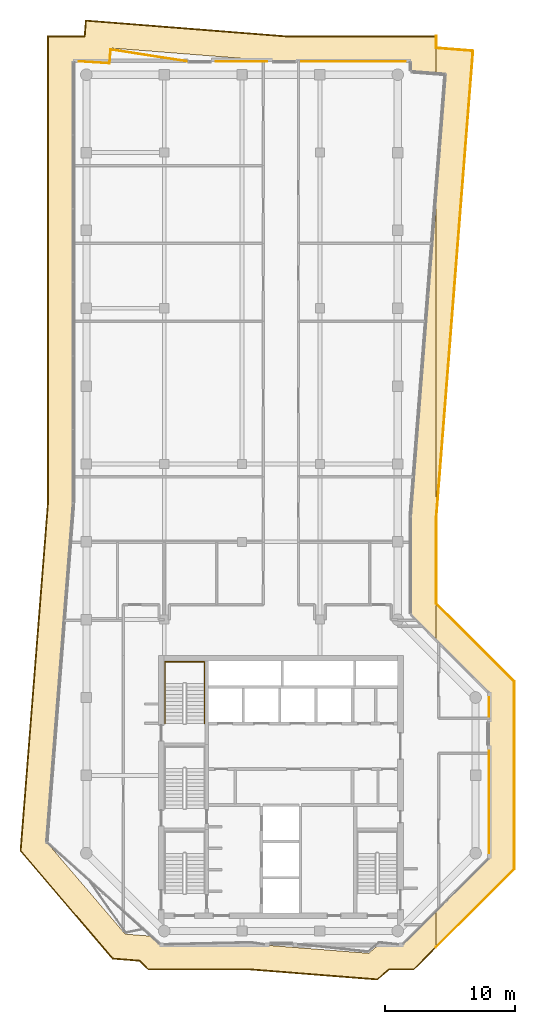
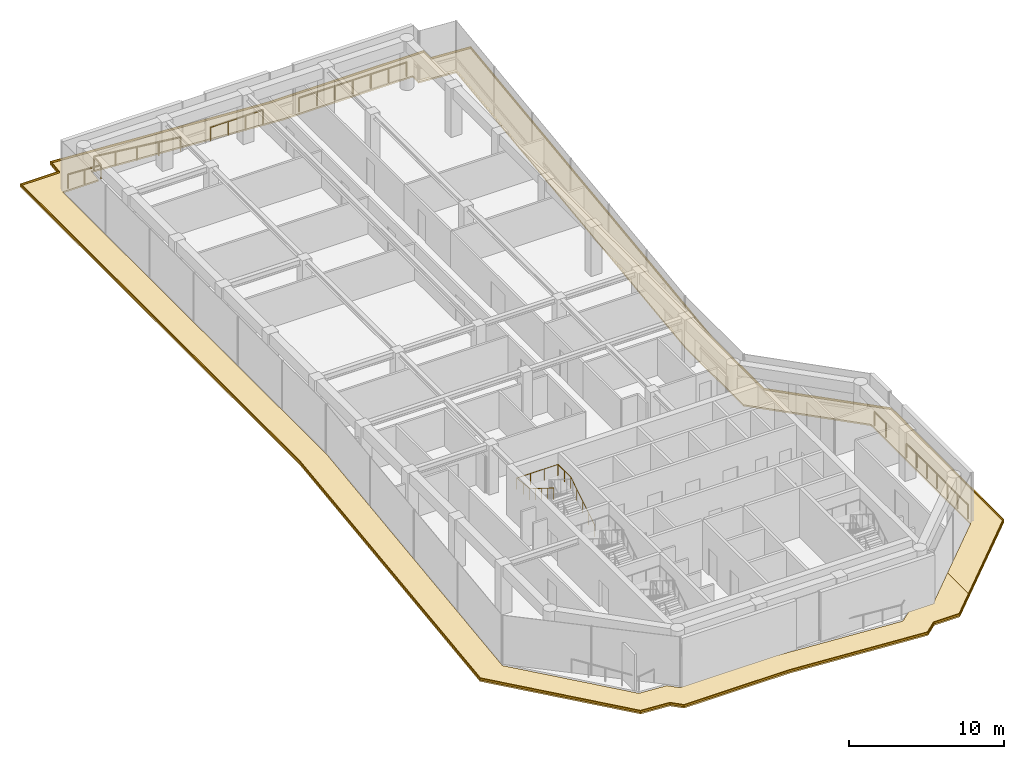
# One storey, part 23 of 23: 6 railings, 5 coverings.
"""IFC4 building model written with IfcOpenShell, lengths in metres."""

import ifcopenshell
import ifcopenshell.guid

model = None  # the IFC model being written
_history = None  # IfcOwnerHistory: only IFC2X3 demands one
_inside = {}  # id of a spatial element -> (the spatial element, [elements in it])
_under = {}  # id of a project, library or spatial element -> (it, [spatial elements below it])
_declared = {}  # id of a project -> (the project, [libraries it declares])
_typed = {}  # id of a type object -> (the type object, [elements of that type])
_made_of = {}  # id of a material, layer set ... -> (it, [elements and type objects made of it])


def new_model(schema):
    """Start an empty IFC model of exactly this schema.

    Asked for "IFC4X3", IfcOpenShell would pick the latest addendum, in which some entities
    have other attributes; the version numbers below select the first issue.
    IFC2X3 requires an IfcOwnerHistory on every rooted entity: one is made here for all.
    """
    global model, _history
    if schema == "IFC4X3":
        model = ifcopenshell.file(schema_version=(4, 3, 0, 0))
    else:
        model = ifcopenshell.file(schema=schema)
    _inside.clear()
    _under.clear()
    _declared.clear()
    _typed.clear()
    _made_of.clear()
    _history = None
    if model.schema == "IFC2X3":
        org = make("IfcOrganization", Name="unknown")
        user = make(
            "IfcPersonAndOrganization",
            ThePerson=make("IfcPerson", FamilyName="unknown"),
            TheOrganization=org,
        )
        app = make(
            "IfcApplication",
            ApplicationDeveloper=org,
            Version="unknown",
            ApplicationFullName="unknown",
            ApplicationIdentifier="unknown",
        )
        _history = make(
            "IfcOwnerHistory",
            OwningUser=user,
            OwningApplication=app,
            ChangeAction="ADDED",
            CreationDate=0,
        )
    return model


def make(cls, **values):
    """One entity of the class cls with the attributes given. An attribute that is None is left unset."""
    return model.create_entity(
        cls, **{name: value for name, value in values.items() if value is not None}
    )


def rooted(cls, **values):
    """An entity with a GlobalId (a new one), such as an element, a storey or a relation."""
    return make(cls, GlobalId=ifcopenshell.guid.new(), OwnerHistory=_history, **values)


def si_unit(unit_type, name, prefix=None):
    """IfcSIUnit, for example si_unit("LENGTHUNIT", "METRE", prefix="MILLI")."""
    return make("IfcSIUnit", UnitType=unit_type, Prefix=prefix, Name=name)


def assignment(units):
    """IfcUnitAssignment: the units of a project."""
    return None if units is None else make("IfcUnitAssignment", Units=units)


def point(xyz):
    """IfcCartesianPoint."""
    return None if xyz is None else make("IfcCartesianPoint", Coordinates=xyz)


def direction(xyz):
    """IfcDirection."""
    return None if xyz is None else make("IfcDirection", DirectionRatios=xyz)


def frame(location, z_axis=None, x_axis=None):
    """IfcAxis2Placement3D, a coordinate frame: its origin and axes. An axis left out is left unset."""
    return make(
        "IfcAxis2Placement3D",
        Location=point(location),
        Axis=direction(z_axis),
        RefDirection=direction(x_axis),
    )


def frame_2d(location, x_axis=None):
    """IfcAxis2Placement2D, a coordinate frame in the plane: its origin and x axis."""
    return make(
        "IfcAxis2Placement2D", Location=point(location), RefDirection=direction(x_axis)
    )


def origin():
    """The frame at (0, 0, 0) with its axes left unset."""
    return frame((0.0, 0.0, 0.0))


def origin_2d():
    """The frame at (0, 0) in the plane with its x axis left unset."""
    return frame_2d((0.0, 0.0))


def place(relative_to, where):
    """IfcLocalPlacement: puts the frame where relative to a parent placement (None: the world)."""
    return make(
        "IfcLocalPlacement", PlacementRelTo=relative_to, RelativePlacement=where
    )


def context(
    kind, dimensions, precision=None, world=None, true_north=None, identifier=None
):
    """IfcGeometricRepresentationContext, for example the 3D "Model" context."""
    return make(
        "IfcGeometricRepresentationContext",
        ContextIdentifier=identifier,
        ContextType=kind,
        CoordinateSpaceDimension=dimensions,
        Precision=precision,
        WorldCoordinateSystem=world,
        TrueNorth=true_north,
    )


def subcontext(parent, identifier, kind, view, scale=None):
    """IfcGeometricRepresentationSubContext, for example "Body" below "Model"."""
    return make(
        "IfcGeometricRepresentationSubContext",
        ContextIdentifier=identifier,
        ContextType=kind,
        ParentContext=parent,
        TargetScale=scale,
        TargetView=view,
    )


def project(units=None, contexts=None):
    """IfcProject with its units and contexts."""
    return rooted(
        "IfcProject",
        Name="project",
        RepresentationContexts=contexts,
        UnitsInContext=assignment(units),
    )


def spatial(cls, under=None, at=None, **own):
    """A site, building, storey or space (cls), placed at a placement, below another one or the project."""
    s = rooted(cls, ObjectPlacement=at, **own)
    if under is not None:
        _under.setdefault(under.id(), (under, []))[1].append(s)
    return s


def polyline(points):
    """IfcPolyline through the points."""
    return make("IfcPolyline", Points=[point(p) for p in points])


def profile(cls, at=None, kind="AREA", **sizes):
    """A parametric profile (cls). Its sizes go by their IFC names, for example OverallWidth=200.0."""
    return make(cls, ProfileType=kind, Position=at, **sizes)


def circle(**sizes):
    """IfcCircleProfileDef."""
    return profile("IfcCircleProfileDef", **sizes)


def outline(outer, holes=None, kind="AREA"):
    """IfcArbitraryClosedProfileDef: a profile drawn as a closed curve; with holes, ...WithVoids."""
    if holes is None:
        return make("IfcArbitraryClosedProfileDef", ProfileType=kind, OuterCurve=outer)
    return make(
        "IfcArbitraryProfileDefWithVoids",
        ProfileType=kind,
        OuterCurve=outer,
        InnerCurves=holes,
    )


def extrude(swept, where, along, depth):
    """IfcExtrudedAreaSolid: the profile swept, set in the frame where, extruded along a direction by depth."""
    return make(
        "IfcExtrudedAreaSolid",
        SweptArea=swept,
        Position=where,
        ExtrudedDirection=direction(along),
        Depth=depth,
    )


def shape(context_of_items, identifier, shape_type, items):
    """IfcShapeRepresentation: the items that make up one representation, for example the "Body"."""
    return make(
        "IfcShapeRepresentation",
        ContextOfItems=context_of_items,
        RepresentationIdentifier=identifier,
        RepresentationType=shape_type,
        Items=items,
    )


def material(Name=None, Category=None):
    """IfcMaterial."""
    return make("IfcMaterial", Name=Name, Category=Category)


def layer(
    of_material, thickness, ventilated=None, Name=None, Category=None, Priority=None
):
    """IfcMaterialLayer: one layer of a wall or slab, of a material (None: an air gap)."""
    return make(
        "IfcMaterialLayer",
        Material=of_material,
        LayerThickness=thickness,
        IsVentilated=ventilated,
        Name=Name,
        Category=Category,
        Priority=Priority,
    )


def layer_set(layers, Name=None):
    """IfcMaterialLayerSet."""
    return make("IfcMaterialLayerSet", MaterialLayers=layers, LayerSetName=Name)


def made_of(thing, what):
    """Note that an element or type object is made of a material, layer set ...; save() writes the relation."""
    if what is not None:
        _made_of.setdefault(what.id(), (what, []))[1].append(thing)
    return thing


def type_object(cls, material=None, **own):
    """A type object (cls), such as IfcWallType, which elements share."""
    return made_of(rooted(cls, **own), material)


def element(
    cls,
    number,
    at=None,
    inside=None,
    cuts=None,
    type_object=None,
    material=None,
    context=None,
    identifier="Body",
    shape_type=None,
    held_by="IfcProductDefinitionShape",
    body=None,
    shapes=None,
    **own,
):
    """One element of the class cls, such as IfcWall. Its Tag is "e" and its number.

    at: its placement. inside: the storey or other place that contains it. cuts: it is an
    opening in that element (IfcRelVoidsElement). A single representation is given by context,
    identifier, shape_type and body (its items); several are given by shapes. held_by: the class
    of the entity that holds the representations. save() writes the other relations.
    """
    e = rooted(cls, Tag="e%d" % number, ObjectPlacement=at, **own)
    if body is not None:
        shapes = [shape(context, identifier, shape_type, body)]
    if shapes is not None:
        e.Representation = make(held_by, Representations=shapes)
    if inside is not None:
        _inside.setdefault(inside.id(), (inside, []))[1].append(e)
    if cuts is not None:
        rooted(
            "IfcRelVoidsElement", RelatingBuildingElement=cuts, RelatedOpeningElement=e
        )
    if type_object is not None:
        _typed.setdefault(type_object.id(), (type_object, []))[1].append(e)
    return made_of(e, material)


def aggregate(whole, parts):
    """IfcRelAggregates: a whole, such as a stair, and the parts it consists of."""
    return rooted("IfcRelAggregates", RelatingObject=whole, RelatedObjects=parts)


def save(model, path):
    """Write the relations noted so far, then the file.

    IfcRelAggregates (storeys below a building ...), IfcRelContainedInSpatialStructure (elements
    in a storey), IfcRelDefinesByType, IfcRelAssociatesMaterial and IfcRelDeclares: one each for
    every whole, place, type object, material and project.
    """
    for whole, parts in _under.values():
        aggregate(whole, parts)
    for where, things in _inside.values():
        rooted(
            "IfcRelContainedInSpatialStructure",
            RelatedElements=things,
            RelatingStructure=where,
        )
    for kind, things in _typed.values():
        rooted("IfcRelDefinesByType", RelatedObjects=things, RelatingType=kind)
    for what, things in _made_of.values():
        rooted("IfcRelAssociatesMaterial", RelatedObjects=things, RelatingMaterial=what)
    for by, libraries in _declared.values():
        rooted("IfcRelDeclares", RelatingContext=by, RelatedDefinitions=libraries)
    model.write(path)


model = new_model("IFC4")

# Units and contexts
model_context = context("Model", 3, precision=1e-05, world=origin(), true_north=direction((0.0, 1.0)))
body_context = subcontext(model_context, "Body", "Model", "MODEL_VIEW")
ifc_project = project(units=[si_unit("LENGTHUNIT", "METRE"), si_unit("AREAUNIT", "SQUARE_METRE"), si_unit("VOLUMEUNIT", "CUBIC_METRE"), si_unit("PLANEANGLEUNIT", "RADIAN"), si_unit("MASSUNIT", "GRAM", prefix="KILO")], contexts=[model_context])

# Site, building, storey
site_placement = place(None, origin())
site = spatial("IfcSite", under=ifc_project, at=site_placement, CompositionType="ELEMENT")
building_placement = place(site_placement, origin())
building = spatial("IfcBuilding", under=site, at=building_placement, Name="Welwitschia Terrace Campus", CompositionType="ELEMENT")
storey_placement = place(building_placement, frame((0.0, 0.0, 247.39990234375)))
storey = spatial("IfcBuildingStorey", under=building, at=storey_placement, Name="L55", CompositionType="ELEMENT", Elevation=247.39990234375)

# Railings
ifc_material_1 = material(Name="Stainless steel grade 316", Category="steel")
railing_type_1 = type_object("IfcRailingType", Name="Guard 1100", PredefinedType="GUARDRAIL", material=ifc_material_1)
railing_1_placement = place(storey_placement, frame((-0.580078125, 71.030029296875, 0.0)))
element("IfcRailing", 1, at=railing_1_placement, inside=storey, type_object=railing_type_1, Name="Guard floor edge L55.0", PredefinedType="GUARDRAIL", context=body_context, shape_type="SweptSolid", body=[
    extrude(circle(Radius=0.02392578125, at=origin_2d()), frame((0.0, 0.0, 1.076171875), z_axis=(0.997996952263, -0.063262020784, 0.0), x_axis=(0.063262020784, 0.997996952263, 0.0)), (0.0, 0.0, 1.0), 2.373291015625),
    extrude(circle(Radius=0.02392578125, at=origin_2d()), frame((2.36865234375, -0.150146484375, 1.076171875), z_axis=(0.078594302847, 0.996906683476, 0.0), x_axis=(-0.996906683476, 0.078594302847, 0.0)), (0.0, 0.0, 1.0), 1.062255859375),
    extrude(circle(Radius=0.02392578125, at=origin_2d()), frame((2.4521484375, 0.908935546875, 1.076171875), z_axis=(0.98835326128, -0.152176972363, 0.0), x_axis=(0.152176972363, 0.98835326128, 0.0)), (0.0, 0.0, 1.0), 5.972900390625),
    extrude(circle(Radius=0.02099609375, at=origin_2d()), origin(), (0.0, 0.0, 1.0), 1.052001953125),
    extrude(circle(Radius=0.02099609375, at=origin_2d()), frame((1.184326171875, -0.0751953125, 0.0)), (0.0, 0.0, 1.0), 1.052001953125),
    extrude(circle(Radius=0.02099609375, at=origin_2d()), frame((2.36865234375, -0.150146484375, 0.0)), (0.0, 0.0, 1.0), 1.052001953125),
    extrude(circle(Radius=0.02099609375, at=origin_2d()), frame((2.4521484375, 0.908935546875, 0.0)), (0.0, 0.0, 1.0), 1.052001953125),
    extrude(circle(Radius=0.02099609375, at=origin_2d()), frame((3.927978515625, 0.681640625, 0.0)), (0.0, 0.0, 1.0), 1.052001953125),
    extrude(circle(Radius=0.02099609375, at=origin_2d()), frame((5.40380859375, 0.45458984375, 0.0)), (0.0, 0.0, 1.0), 1.052001953125),
    extrude(circle(Radius=0.02099609375, at=origin_2d()), frame((6.879638671875, 0.227294921875, 0.0)), (0.0, 0.0, 1.0), 1.052001953125),
    extrude(circle(Radius=0.02099609375, at=origin_2d()), frame((8.35546875, 0.0, 0.0)), (0.0, 0.0, 1.0), 1.052001953125),
])
railing_2_placement = place(storey_placement, frame((10.00244140625, 71.030029296875, 0.0)))
element("IfcRailing", 2, at=railing_2_placement, inside=storey, type_object=railing_type_1, Name="Guard floor edge L55.3", PredefinedType="GUARDRAIL", context=body_context, shape_type="SweptSolid", body=[
    extrude(circle(Radius=0.02392578125, at=origin_2d()), frame((0.0, 0.0, 1.076171875), z_axis=(1.0, 0.0, 0.0), x_axis=(0.0, 1.0, 0.0)), (0.0, 0.0, 1.0), 3.906982421875),
    extrude(circle(Radius=0.02099609375, at=origin_2d()), origin(), (0.0, 0.0, 1.0), 1.052001953125),
    extrude(circle(Radius=0.02099609375, at=origin_2d()), frame((1.30224609375, 0.0, 0.0)), (0.0, 0.0, 1.0), 1.052001953125),
    extrude(circle(Radius=0.02099609375, at=origin_2d()), frame((2.604736328125, 0.0, 0.0)), (0.0, 0.0, 1.0), 1.052001953125),
    extrude(circle(Radius=0.02099609375, at=origin_2d()), frame((3.906982421875, 0.0, 0.0)), (0.0, 0.0, 1.0), 1.052001953125),
])
railing_3_placement = place(storey_placement, frame((16.581298828125, 71.030029296875, 0.0)))
element("IfcRailing", 3, at=railing_3_placement, inside=storey, type_object=railing_type_1, Name="Guard floor edge L55.5", PredefinedType="GUARDRAIL", context=body_context, shape_type="SweptSolid", body=[
    extrude(circle(Radius=0.02392578125, at=origin_2d()), frame((0.0, 0.0, 1.076171875), z_axis=(1.0, 0.0, 0.0), x_axis=(0.0, 1.0, 0.0)), (0.0, 0.0, 1.0), 7.998779296875),
    extrude(circle(Radius=0.02099609375, at=origin_2d()), origin(), (0.0, 0.0, 1.0), 1.052001953125),
    extrude(circle(Radius=0.02099609375, at=origin_2d()), frame((1.3330078125, 0.0, 0.0)), (0.0, 0.0, 1.0), 1.052001953125),
    extrude(circle(Radius=0.02099609375, at=origin_2d()), frame((2.666259765625, 0.0, 0.0)), (0.0, 0.0, 1.0), 1.052001953125),
    extrude(circle(Radius=0.02099609375, at=origin_2d()), frame((3.99951171875, 0.0, 0.0)), (0.0, 0.0, 1.0), 1.052001953125),
    extrude(circle(Radius=0.02099609375, at=origin_2d()), frame((5.33251953125, 0.0, 0.0)), (0.0, 0.0, 1.0), 1.052001953125),
    extrude(circle(Radius=0.02099609375, at=origin_2d()), frame((6.66552734375, 0.0, 0.0)), (0.0, 0.0, 1.0), 1.052001953125),
    extrude(circle(Radius=0.02099609375, at=origin_2d()), frame((7.998779296875, 0.0, 0.0)), (0.0, 0.0, 1.0), 1.052001953125),
])
railing_4_placement = place(storey_placement, frame((31.030029296875, 17.8896484375, 0.0)))
element("IfcRailing", 4, at=railing_4_placement, inside=storey, type_object=railing_type_1, Name="Guard floor edge L55.6", PredefinedType="GUARDRAIL", context=body_context, shape_type="SweptSolid", body=[
    extrude(circle(Radius=0.02392578125, at=origin_2d()), frame((0.0, 0.0, 1.076171875), z_axis=(0.0, -1.0, 0.0), x_axis=(1.0, 0.0, 0.0)), (0.0, 0.0, 1.0), 7.892578125),
    extrude(circle(Radius=0.02099609375, at=origin_2d()), origin(), (0.0, 0.0, 1.0), 1.052001953125),
    extrude(circle(Radius=0.02099609375, at=origin_2d()), frame((0.0, -1.3154296875, 0.0)), (0.0, 0.0, 1.0), 1.052001953125),
    extrude(circle(Radius=0.02099609375, at=origin_2d()), frame((0.0, -2.630859375, 0.0)), (0.0, 0.0, 1.0), 1.052001953125),
    extrude(circle(Radius=0.02099609375, at=origin_2d()), frame((0.0, -3.9462890625, 0.0)), (0.0, 0.0, 1.0), 1.052001953125),
    extrude(circle(Radius=0.02099609375, at=origin_2d()), frame((0.0, -5.26171875, 0.0)), (0.0, 0.0, 1.0), 1.052001953125),
    extrude(circle(Radius=0.02099609375, at=origin_2d()), frame((0.0, -6.5771484375, 0.0)), (0.0, 0.0, 1.0), 1.052001953125),
    extrude(circle(Radius=0.02099609375, at=origin_2d()), frame((0.0, -7.892578125, 0.0)), (0.0, 0.0, 1.0), 1.052001953125),
])
railing_5_placement = place(storey_placement, frame((31.030029296875, 22.0029296875, 0.0)))
element("IfcRailing", 5, at=railing_5_placement, inside=storey, type_object=railing_type_1, Name="Guard floor edge L55.7", PredefinedType="GUARDRAIL", context=body_context, shape_type="SweptSolid", body=[
    extrude(circle(Radius=0.02392578125, at=origin_2d()), frame((0.0, 0.0, 1.076171875), z_axis=(0.0, -1.0, 0.0), x_axis=(1.0, 0.0, 0.0)), (0.0, 0.0, 1.0), 1.4658203125),
    extrude(circle(Radius=0.02099609375, at=origin_2d()), origin(), (0.0, 0.0, 1.0), 1.052001953125),
    extrude(circle(Radius=0.02099609375, at=origin_2d()), frame((0.0, -1.4658203125, 0.0)), (0.0, 0.0, 1.0), 1.052001953125),
])
ifc_material_2 = material(Name="Steel S355", Category="steel")
railing_type_2 = type_object("IfcRailingType", Name="Stair handrail 900", PredefinedType="HANDRAIL", material=ifc_material_2)
railing_6_placement = place(storey_placement, frame((9.10009765625, 20.0, 0.175048828125)))
element("IfcRailing", 6, at=railing_6_placement, inside=storey, type_object=railing_type_2, Name="L55 S4 stair handrail", PredefinedType="HANDRAIL", context=body_context, shape_type="SweptSolid", body=[
    extrude(circle(Radius=0.02392578125, at=origin_2d()), frame((0.0, 0.0, 0.8759765625), z_axis=(0.0, 0.847998304005, 0.529998940003), x_axis=(-1.0, 0.0, 0.0)), (0.0, 0.0, 1.0), 3.632080078125),
    extrude(circle(Radius=0.02392578125, at=origin_2d()), frame((0.0, 3.080078125, 2.80078125), z_axis=(0.0, 1.0, 0.0), x_axis=(-1.0, 0.0, 0.0)), (0.0, 0.0, 1.0), 1.669921875),
    extrude(circle(Radius=0.02392578125, at=origin_2d()), frame((0.0, 4.75, 2.80078125), z_axis=(-1.0, 0.0, 0.0), x_axis=(0.0, -1.0, 0.0)), (0.0, 0.0, 1.0), 3.050048828125),
    extrude(circle(Radius=0.02392578125, at=origin_2d()), frame((-3.050048828125, 4.75, 2.80078125), z_axis=(0.0, -0.99455077262, 0.104253348533), x_axis=(1.0, 0.0, 0.0)), (0.0, 0.0, 1.0), 1.678955078125),
    extrude(circle(Radius=0.02392578125, at=origin_2d()), frame((-3.050048828125, 3.080078125, 2.97607421875), z_axis=(0.0, -0.847998304005, 0.529998940003), x_axis=(1.0, 0.0, 0.0)), (0.0, 0.0, 1.0), 3.632080078125),
    extrude(circle(Radius=0.02099609375, at=origin_2d()), origin(), (0.0, 0.0, 1.0), 0.851806640625),
    extrude(circle(Radius=0.02099609375, at=origin_2d()), frame((0.0, 0.77001953125, 0.481201171875)), (0.0, 0.0, 1.0), 0.851806640625),
    extrude(circle(Radius=0.02099609375, at=origin_2d()), frame((0.0, 1.5400390625, 0.96240234375)), (0.0, 0.0, 1.0), 0.851806640625),
    extrude(circle(Radius=0.02099609375, at=origin_2d()), frame((0.0, 2.31005859375, 1.44384765625)), (0.0, 0.0, 1.0), 0.851806640625),
    extrude(circle(Radius=0.02099609375, at=origin_2d()), frame((0.0, 3.080078125, 1.925048828125)), (0.0, 0.0, 1.0), 0.851806640625),
    extrude(circle(Radius=0.02099609375, at=origin_2d()), frame((0.0, 3.9150390625, 1.925048828125)), (0.0, 0.0, 1.0), 0.851806640625),
    extrude(circle(Radius=0.02099609375, at=origin_2d()), frame((0.0, 4.75, 1.925048828125)), (0.0, 0.0, 1.0), 0.851806640625),
    extrude(circle(Radius=0.02099609375, at=origin_2d()), frame((-1.0166015625, 4.75, 1.925048828125)), (0.0, 0.0, 1.0), 0.851806640625),
    extrude(circle(Radius=0.02099609375, at=origin_2d()), frame((-2.033447265625, 4.75, 1.925048828125)), (0.0, 0.0, 1.0), 0.851806640625),
    extrude(circle(Radius=0.02099609375, at=origin_2d()), frame((-3.050048828125, 4.75, 1.925048828125)), (0.0, 0.0, 1.0), 0.851806640625),
    extrude(circle(Radius=0.02099609375, at=origin_2d()), frame((-3.050048828125, 3.9150390625, 2.0126953125)), (0.0, 0.0, 1.0), 0.851806640625),
    extrude(circle(Radius=0.02099609375, at=origin_2d()), frame((-3.050048828125, 3.080078125, 2.10009765625)), (0.0, 0.0, 1.0), 0.851806640625),
    extrude(circle(Radius=0.02099609375, at=origin_2d()), frame((-3.050048828125, 2.31005859375, 2.581298828125)), (0.0, 0.0, 1.0), 0.851806640625),
    extrude(circle(Radius=0.02099609375, at=origin_2d()), frame((-3.050048828125, 1.5400390625, 3.0625)), (0.0, 0.0, 1.0), 0.851806640625),
    extrude(circle(Radius=0.02099609375, at=origin_2d()), frame((-3.050048828125, 0.77001953125, 3.5439453125)), (0.0, 0.0, 1.0), 0.851806640625),
    extrude(circle(Radius=0.02099609375, at=origin_2d()), frame((-3.050048828125, 0.0, 4.025146484375)), (0.0, 0.0, 1.0), 0.851806640625),
])

# Coverings
ifc_material_3 = material(Name="Bronze anodised aluminium", Category="aluminium")
ifc_layer_1 = layer(ifc_material_3, 0.1201171875)
ifc_layer_set_1 = layer_set([ifc_layer_1], Name="Bronze anodised aluminium")
covering_type_1 = type_object("IfcCoveringType", Name="Sunshade band 2000", PredefinedType="USERDEFINED", material=ifc_layer_set_1)
covering_1_placement = place(storey_placement, frame((0.0, 0.0, -0.25)))
element("IfcCovering", 7, at=covering_1_placement, inside=storey, type_object=covering_type_1, Name="SUNSHADE L55.SW0", ObjectType="SUNSHADE", PredefinedType="USERDEFINED", context=body_context, shape_type="SweptSolid", body=[
    extrude(outline(polyline([(-0.0751953125, 74.21875), (15.41162109375, 73.0), (26.943359375, 73.0), (26.943359375, 70.086181640625), (25.0, 70.2392578125), (25.0, 71.0), (15.3330078125, 71.0), (1.76171875, 72.068115234375), (1.677734375, 71.0), (-1.0, 71.0), (-1.0, 36.976318359375), (-3.056640625, 10.84326171875), (2.991943359375, 3.760986328125), (4.9814453125, 3.6044921875), (5.585693359375, 3.0), (12.6611328125, 3.0), (21.762451171875, 2.28369140625), (22.60107421875, 3.0), (24.414306640625, 3.0), (26.943359375, 5.529052734375), (26.943359375, 2.70068359375), (25.24267578125, 1.0), (23.3388671875, 1.0), (22.431396484375, 0.224853515625), (12.58251953125, 1.0), (4.75732421875, 1.0), (4.0888671875, 1.66845703125), (2.00927734375, 1.83203125), (-5.115478515625, 10.17431640625), (-3.0, 37.054931640625), (-3.0, 73.0), (-0.171142578125, 73.0), (-0.0751953125, 74.21875)])), origin(), (0.0, 0.0, 1.0), 0.1201171875),
])
covering_2_placement = place(storey_placement, frame((0.0, 0.0, -0.25)))
element("IfcCovering", 8, at=covering_2_placement, inside=storey, type_object=covering_type_1, Name="SUNSHADE L55.SW1", ObjectType="SUNSHADE", PredefinedType="USERDEFINED", context=body_context, shape_type="SweptSolid", body=[
    extrude(outline(polyline([(25.0, 28.414306640625), (25.0, 35.954833984375), (26.943359375, 60.646484375), (26.943359375, 26.470947265625), (25.0, 28.414306640625)])), origin(), (0.0, 0.0, 1.0), 0.1201171875),
])
covering_3_placement = place(storey_placement, frame((0.0, 0.0, -0.25)))
element("IfcCovering", 9, at=covering_3_placement, inside=storey, type_object=covering_type_1, Name="SUNSHADE L55.SE0", ObjectType="SUNSHADE", PredefinedType="USERDEFINED", context=body_context, shape_type="SweptSolid", body=[
    extrude(outline(polyline([(27.0, 73.0), (27.0, 72.087890625), (29.83251953125, 71.864990234375), (27.0, 35.876220703125), (27.0, 29.24267578125), (33.0, 23.24267578125), (33.0, 8.75732421875), (26.943359375, 2.70068359375), (26.943359375, 5.529052734375), (31.0, 9.585693359375), (31.0, 22.414306640625), (26.943359375, 26.470947265625), (26.943359375, 60.646484375), (27.681640625, 70.028076171875), (26.943359375, 70.086181640625), (26.943359375, 73.0), (27.0, 73.0)])), origin(), (0.0, 0.0, 1.0), 0.1201171875),
])
ifc_material_4 = material(Name="Bronze anodised aluminium", Category="aluminium")
ifc_layer_2 = layer(ifc_material_4, 0.06005859375)
ifc_layer_set_2 = layer_set([ifc_layer_2], Name="Bronze anodised aluminium")
covering_type_2 = type_object("IfcCoveringType", Name="Sunshade lip 60", PredefinedType="USERDEFINED", material=ifc_layer_set_2)
covering_4_placement = place(storey_placement, frame((0.0, 0.0, -0.1298828125)))
element("IfcCovering", 10, at=covering_4_placement, inside=storey, type_object=covering_type_2, Name="SUNSHADE LIP L55.SW0.0", ObjectType="SUNSHADE", PredefinedType="USERDEFINED", context=body_context, shape_type="SweptSolid", body=[
    extrude(outline(polyline([(15.41162109375, 73.0), (26.943359375, 73.0), (26.943359375, 72.0322265625), (26.93994140625, 72.93994140625), (15.4091796875, 72.93994140625), (-0.02001953125, 74.154296875), (-0.115478515625, 72.93994140625), (-2.93994140625, 72.93994140625), (-2.93994140625, 37.052490234375), (-5.0537109375, 10.1943359375), (2.038818359375, 1.889892578125), (4.11572265625, 1.7265625), (4.7822265625, 1.06005859375), (12.5849609375, 1.06005859375), (22.411376953125, 0.28662109375), (23.31689453125, 1.06005859375), (25.2177734375, 1.06005859375), (26.943359375, 2.785400390625), (26.943359375, 2.70068359375), (25.24267578125, 1.0), (23.3388671875, 1.0), (22.431396484375, 0.224853515625), (12.58251953125, 1.0), (4.75732421875, 1.0), (4.0888671875, 1.66845703125), (2.00927734375, 1.83203125), (-5.115478515625, 10.17431640625), (-3.0, 37.054931640625), (-3.0, 73.0), (-0.171142578125, 73.0), (-0.0751953125, 74.21875), (15.41162109375, 73.0)])), origin(), (0.0, 0.0, 1.0), 0.1298828125),
])
covering_5_placement = place(storey_placement, frame((0.0, 0.0, -0.1298828125)))
element("IfcCovering", 11, at=covering_5_placement, inside=storey, type_object=covering_type_2, Name="SUNSHADE LIP L55.SE0.0", ObjectType="SUNSHADE", PredefinedType="USERDEFINED", context=body_context, shape_type="SweptSolid", body=[
    extrude(outline(polyline([(27.0, 72.087890625), (29.83251953125, 71.864990234375), (27.0, 35.876220703125), (27.0, 29.24267578125), (33.0, 23.24267578125), (33.0, 8.75732421875), (26.943359375, 2.70068359375), (26.943359375, 2.785400390625), (32.93994140625, 8.7822265625), (32.93994140625, 23.2177734375), (26.943359375, 29.214599609375), (26.943359375, 35.920166015625), (29.767822265625, 71.809814453125), (26.943359375, 72.0322265625), (26.943359375, 73.0), (27.0, 73.0), (27.0, 72.087890625)])), origin(), (0.0, 0.0, 1.0), 0.1298828125),
])

save(model, "model.ifc")
